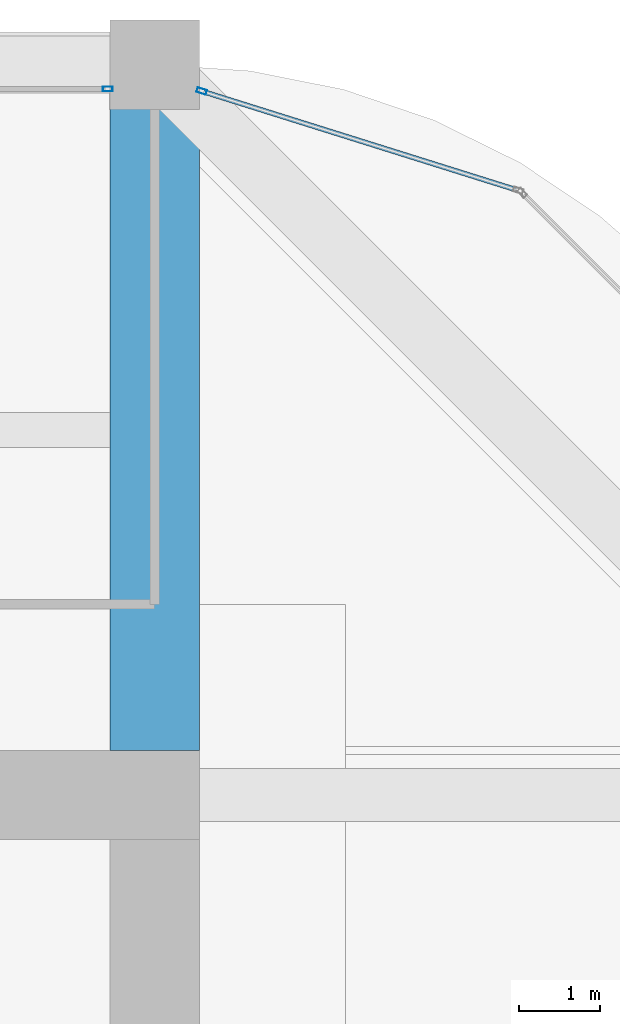
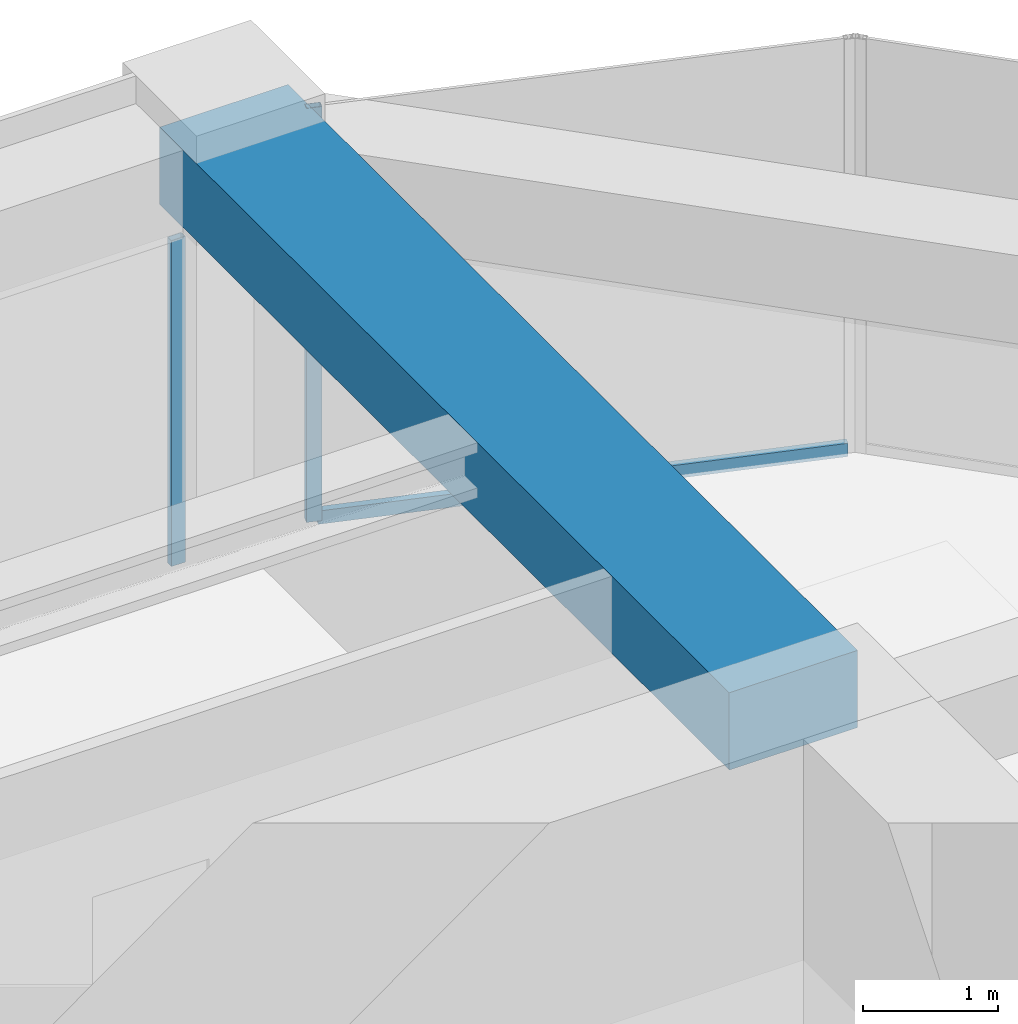
# One storey, part 37 of 44: 3 members, 1 beam, 2 elements without a shape of their own.
"""IFC4 building model written with IfcOpenShell, lengths in metres."""

from ifc_helpers import new_model, si_unit, direction, frame, origin, origin_2d, place, context, subcontext, project, spatial, rectangle, hollow_rectangle, extrude, material, material_profile, profile_set, type_object, element, aggregate, save


model = new_model("IFC4")

# Units and contexts
model_context = context("Model", 3, precision=1e-05, world=origin(), true_north=direction((0.0, 1.0)))
body_context = subcontext(model_context, "Body", "Model", "MODEL_VIEW")
ifc_project = project(units=[si_unit("LENGTHUNIT", "METRE"), si_unit("AREAUNIT", "SQUARE_METRE"), si_unit("VOLUMEUNIT", "CUBIC_METRE"), si_unit("PLANEANGLEUNIT", "RADIAN"), si_unit("MASSUNIT", "GRAM", prefix="KILO")], contexts=[model_context])

# Site, building, storey
site_placement = place(None, origin())
site = spatial("IfcSite", under=ifc_project, at=site_placement, CompositionType="ELEMENT")
building_placement = place(site_placement, origin())
building = spatial("IfcBuilding", under=site, at=building_placement, Name="Zorevar Civic Tower", CompositionType="ELEMENT")
storey_placement = place(building_placement, frame((0.0, 0.0, 299.39990234375)))
storey = spatial("IfcBuildingStorey", under=building, at=storey_placement, Name="L73", CompositionType="ELEMENT", Elevation=299.39990234375)

# Beam
ifc_material_1 = material(Name="Concrete C50/60", Category="concrete")
ifc_material_profile_1 = material_profile(ifc_material_1, rectangle(XDim=1.10009765625, YDim=0.699951171875, at=origin_2d()), Name="RC 1100x700")
ifc_profile_set_1 = profile_set([ifc_material_profile_1], Name="Concrete C50/60")
beam_type = type_object("IfcBeamType", Name="Beam RC 1100x700", PredefinedType="BEAM", material=ifc_profile_set_1)
beam_placement = place(storey_placement, frame((45.0, 36.550048828125, 3.400146484375), z_axis=(0.0, 1.0, 0.0), x_axis=(-1.0, 0.0, 0.0)))
element("IfcBeam", 1, at=beam_placement, inside=storey, type_object=beam_type, Name="Girder L74", PredefinedType="BEAM", context=body_context, shape_type="SweptSolid", body=[
    extrude(rectangle(XDim=1.10009765625, YDim=0.699951171875, at=origin_2d()), origin(), (0.0, 0.0, 1.0), 8.449951171875),
])

# Curtain wall, member
ifc_material_2 = material(Name="Dark grey solar-control glass in black aluminium frame", Category="aluminium")
curtain_wall_type = type_object("IfcCurtainWallType", Name="Curtain wall CW5 top zone", PredefinedType="NOTDEFINED", material=ifc_material_2)
curtain_wall_1_placement = place(storey_placement, origin())
curtain_wall_1 = element("IfcCurtainWall", 2, at=curtain_wall_1_placement, inside=storey, type_object=curtain_wall_type, Name="CW5 L73", PredefinedType="NOTDEFINED")
ifc_material_3 = material(Name="Aluminium, black anodised", Category="aluminium")
ifc_material_profile_2 = material_profile(ifc_material_3, hollow_rectangle(XDim=0.06005859375, YDim=0.1201171875, WallThickness=0.0029296875, at=origin_2d()), Name="AL 120x60x3")
ifc_profile_set_2 = profile_set([ifc_material_profile_2], Name="Aluminium, black anodised")
member_type_1 = type_object("IfcMemberType", Name="CW5 mullion AL 120x60x3", PredefinedType="MULLION", material=ifc_profile_set_2)
member_1_placement = place(storey_placement, frame((44.419921875, 44.699951171875, 0.0), z_axis=(0.0, 0.0, 1.0), x_axis=(0.0, 1.0, 0.0)))
member_1 = element("IfcMember", 3, at=member_1_placement, type_object=member_type_1, Name="CW5 mullion 3", PredefinedType="MULLION", context=body_context, shape_type="SweptSolid", body=[
    extrude(hollow_rectangle(XDim=0.06005859375, YDim=0.1201171875, WallThickness=0.0029296875, at=origin_2d()), origin(), (0.0, 0.0, 1.0), 2.9501953125),
])
aggregate(curtain_wall_1, [member_1])

# Curtain wall, members
curtain_wall_2_placement = place(storey_placement, origin())
curtain_wall_2 = element("IfcCurtainWall", 4, at=curtain_wall_2_placement, inside=storey, type_object=curtain_wall_type, Name="CW5 L73", PredefinedType="NOTDEFINED")
member_2_placement = place(storey_placement, frame((45.57861328125, 44.673583984375, 0.0), z_axis=(0.0, 0.0, 1.0), x_axis=(-0.299317920238, -0.954153437674, 0.0)))
member_2 = element("IfcMember", 5, at=member_2_placement, type_object=member_type_1, Name="CW5 mullion 2", PredefinedType="MULLION", context=body_context, shape_type="SweptSolid", body=[
    extrude(hollow_rectangle(XDim=0.06005859375, YDim=0.1201171875, WallThickness=0.0029296875, at=origin_2d()), origin(), (0.0, 0.0, 1.0), 3.75),
])
ifc_material_4 = material(Name="Aluminium, black anodised", Category="aluminium")
ifc_material_profile_3 = material_profile(ifc_material_4, hollow_rectangle(XDim=0.06005859375, YDim=0.1201171875, WallThickness=0.0029296875, at=origin_2d()), Name="AL 120x60x3")
ifc_profile_set_3 = profile_set([ifc_material_profile_3], Name="Aluminium, black anodised")
member_type_2 = type_object("IfcMemberType", Name="CW5 transom AL 120x60x3", PredefinedType="USERDEFINED", material=ifc_profile_set_3)
member_3_placement = place(storey_placement, frame((49.45068359375, 43.458984375, 0.030029296875), z_axis=(-0.954163457351, 0.299285978047, 0.0), x_axis=(-0.299285978047, -0.954163457351, 0.0)))
member_3 = element("IfcMember", 6, at=member_3_placement, type_object=member_type_2, Name="CW5 sill transom", ObjectType="TRANSOM", PredefinedType="USERDEFINED", context=body_context, shape_type="SweptSolid", body=[
    extrude(hollow_rectangle(XDim=0.06005859375, YDim=0.1201171875, WallThickness=0.0029296875, at=origin_2d()), origin(), (0.0, 0.0, 1.0), 4.028076171875),
])
aggregate(curtain_wall_2, [member_2, member_3])

save(model, "model.ifc")
